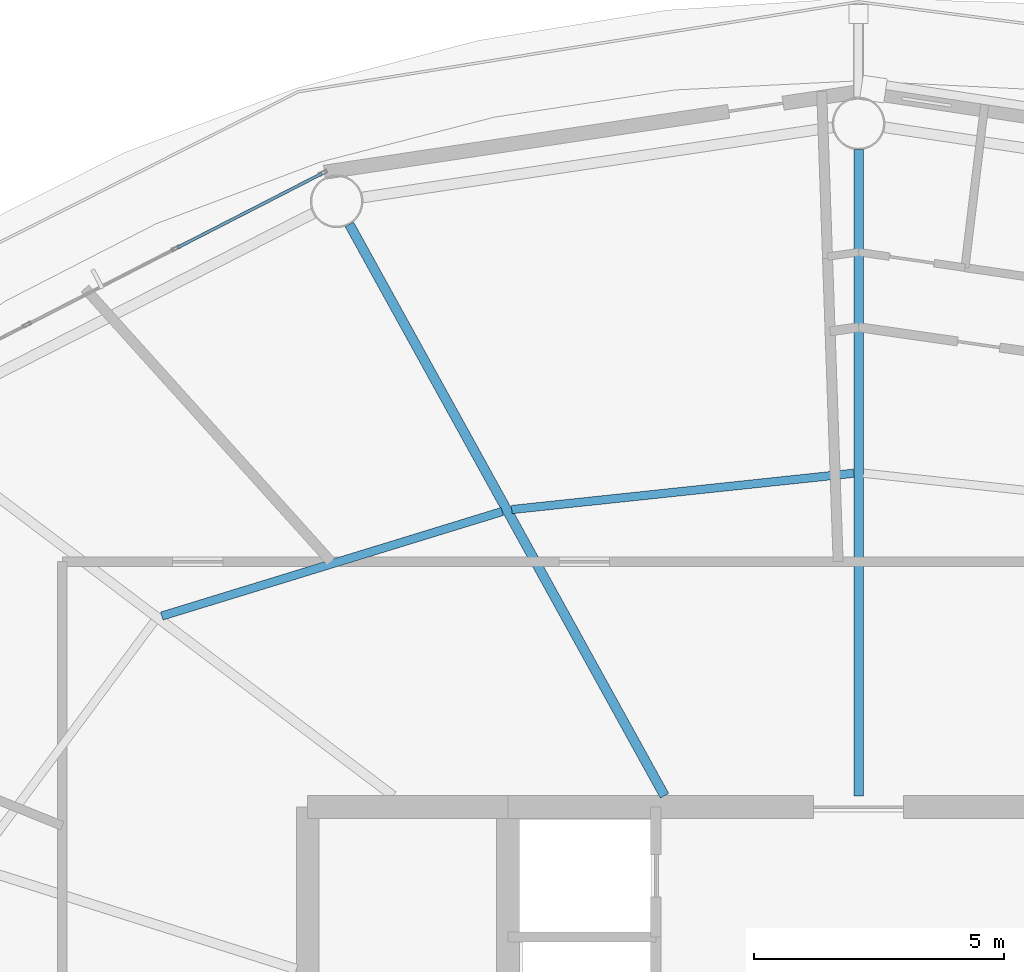
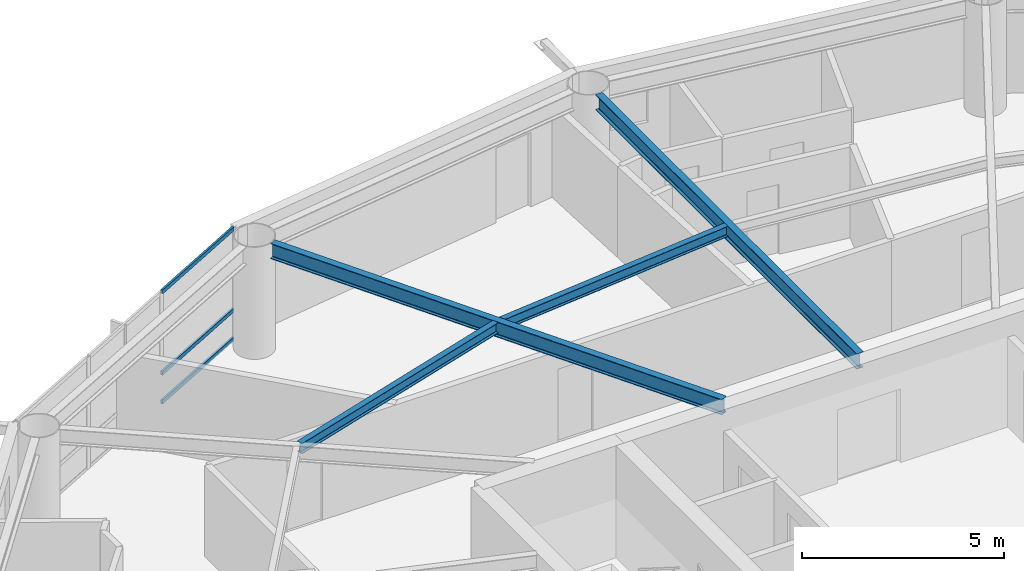
# One storey, part 12 of 29: 4 beams, 3 members, 1 element without a shape of its own.
"""IFC4 building model written with IfcOpenShell, lengths in metres."""

from ifc_helpers import new_model, si_unit, direction, frame, origin, origin_2d, place, context, subcontext, project, spatial, hollow_rectangle, i_section, extrude, material, layer, layer_set, material_profile, profile_set, type_object, element, aggregate, save


model = new_model("IFC4")

# Units and contexts
model_context = context("Model", 3, precision=1e-05, world=origin(), true_north=direction((0.0, 1.0)))
body_context = subcontext(model_context, "Body", "Model", "MODEL_VIEW")
ifc_project = project(units=[si_unit("LENGTHUNIT", "METRE"), si_unit("AREAUNIT", "SQUARE_METRE"), si_unit("VOLUMEUNIT", "CUBIC_METRE"), si_unit("PLANEANGLEUNIT", "RADIAN"), si_unit("MASSUNIT", "GRAM", prefix="KILO")], contexts=[model_context])

# Site, building, storey
site_placement = place(None, origin())
site = spatial("IfcSite", under=ifc_project, at=site_placement, CompositionType="ELEMENT")
building_placement = place(site_placement, origin())
building = spatial("IfcBuilding", under=site, at=building_placement, Name="Sarneth Arch Tower", CompositionType="ELEMENT")
storey_placement = place(building_placement, frame((0.0, 0.0, 165.0)))
storey = spatial("IfcBuildingStorey", under=building, at=storey_placement, Name="L41", CompositionType="ELEMENT", Elevation=165.0)

# Beams
ifc_material_1 = material(Name="Steel S355", Category="steel")
ifc_material_profile_1 = material_profile(ifc_material_1, i_section(OverallWidth=0.1669921875, OverallDepth=0.31689453125, WebThickness=0.007568359375, FlangeThickness=0.01318359375, FilletRadius=0.012939453125, at=origin_2d()), Name="W310x52")
ifc_profile_set_1 = profile_set([ifc_material_profile_1], Name="Steel S355")
beam_type_1 = type_object("IfcBeamType", Name="BM-JOIST-310B", PredefinedType="JOIST", material=ifc_profile_set_1)
beam_1_placement = place(storey_placement, frame((47.904052734375, 55.46484375, 3.221435546875), z_axis=(-0.994407831942, -0.105608066799, 0.0), x_axis=(0.105608066799, -0.994407831942, 0.0)))
element("IfcBeam", 1, at=beam_1_placement, inside=storey, type_object=beam_type_1, Name="L41 Secondary floor joist 05", PredefinedType="JOIST", context=body_context, shape_type="SweptSolid", body=[
    extrude(i_section(OverallWidth=0.1669921875, OverallDepth=0.31689453125, WebThickness=0.007568359375, FlangeThickness=0.01318359375, FilletRadius=0.012939453125, at=origin_2d()), origin(), (0.0, 0.0, 1.0), 6.8681640625),
])
beam_2_placement = place(storey_placement, frame((40.885986328125, 54.700927734375, 3.221435546875), z_axis=(-0.955929549608, -0.293596144707, 0.0), x_axis=(0.293596144707, -0.955929549608, 0.0)))
element("IfcBeam", 2, at=beam_2_placement, inside=storey, type_object=beam_type_1, Name="L41 Secondary floor joist 06", PredefinedType="JOIST", context=body_context, shape_type="SweptSolid", body=[
    extrude(i_section(OverallWidth=0.1669921875, OverallDepth=0.31689453125, WebThickness=0.007568359375, FlangeThickness=0.01318359375, FilletRadius=0.012939453125, at=origin_2d()), origin(), (0.0, 0.0, 1.0), 7.1123046875),
])
ifc_material_2 = material(Name="Steel S355", Category="steel")
ifc_material_profile_2 = material_profile(ifc_material_2, i_section(OverallWidth=0.193115234375, OverallDepth=0.466064453125, WebThickness=0.011474609375, FlangeThickness=0.01904296875, FilletRadius=0.01806640625, at=origin_2d()), Name="W460x97")
ifc_profile_set_2 = profile_set([ifc_material_profile_2], Name="Steel S355")
beam_type_2 = type_object("IfcBeamType", Name="BM-RAD-460C", PredefinedType="BEAM", material=ifc_profile_set_2)
beam_3_placement = place(storey_placement, frame((48.0, 49.02490234375, 3.14697265625), z_axis=(0.0, 1.0, 0.0), x_axis=(-1.0, 0.0, 0.0)))
element("IfcBeam", 3, at=beam_3_placement, inside=storey, type_object=beam_type_2, Name="L41 Radial floor girder 05", PredefinedType="BEAM", context=body_context, shape_type="SweptSolid", body=[
    extrude(i_section(OverallWidth=0.193115234375, OverallDepth=0.466064453125, WebThickness=0.011474609375, FlangeThickness=0.01904296875, FilletRadius=0.01806640625, at=origin_2d()), origin(), (0.0, 0.0, 1.0), 12.900146484375),
])
beam_4_placement = place(storey_placement, frame((44.125, 49.02490234375, 3.14697265625), z_axis=(-0.483004525121, 0.87561785541, 0.0), x_axis=(-0.87561785541, -0.483004525121, 0.0)))
element("IfcBeam", 4, at=beam_4_placement, inside=storey, type_object=beam_type_2, Name="L41 Radial floor girder 06", PredefinedType="BEAM", context=body_context, shape_type="SweptSolid", body=[
    extrude(i_section(OverallWidth=0.193115234375, OverallDepth=0.466064453125, WebThickness=0.011474609375, FlangeThickness=0.01904296875, FilletRadius=0.01806640625, at=origin_2d()), origin(), (0.0, 0.0, 1.0), 13.029296875),
])

# Curtain wall, members
ifc_material_3 = material(Name="Anodised aluminium Type AA25 and solar-control low-e laminated IGU", Category="aluminium")
ifc_layer = layer(ifc_material_3, 0.169921875)
ifc_layer_set = layer_set([ifc_layer], Name="Anodised aluminium Type AA25 and solar-control low-e laminated IGU")
curtain_wall_type = type_object("IfcCurtainWallType", Name="CW-RES-MID", PredefinedType="NOTDEFINED", material=ifc_layer_set)
curtain_wall_placement = place(storey_placement, origin())
curtain_wall = element("IfcCurtainWall", 5, at=curtain_wall_placement, inside=storey, type_object=curtain_wall_type, Name="L41 Unitised curtain wall facet 06", PredefinedType="NOTDEFINED")
ifc_material_4 = material(Name="Anodised Aluminium 6063-T6", Category="aluminium")
ifc_material_profile_3 = material_profile(ifc_material_4, hollow_rectangle(XDim=0.06005859375, YDim=0.1201171875, WallThickness=0.00390625, at=origin_2d()), Name="AL-TRAN-120x60x4")
ifc_profile_set_3 = profile_set([ifc_material_profile_3], Name="Anodised Aluminium 6063-T6")
member_type = type_object("IfcMemberType", Name="CW-TRANSOM", PredefinedType="USERDEFINED", material=ifc_profile_set_3)
member_1_placement = place(storey_placement, frame((37.28369140625, 61.447998046875, 0.030029296875), z_axis=(-0.889857362344, -0.456238835131, 0.0), x_axis=(0.456238835131, -0.889857362344, 0.0)))
member_1 = element("IfcMember", 6, at=member_1_placement, type_object=member_type, Name="CW-SYS-5 transom 1.1", ObjectType="TRANSOM", PredefinedType="USERDEFINED", context=body_context, shape_type="SweptSolid", body=[
    extrude(hollow_rectangle(XDim=0.06005859375, YDim=0.1201171875, WallThickness=0.00390625, at=origin_2d()), origin(), (0.0, 0.0, 1.0), 3.248779296875),
])
member_2_placement = place(storey_placement, frame((37.28369140625, 61.447998046875, 0.89990234375), z_axis=(-0.889857362344, -0.456238835131, 0.0), x_axis=(0.456238835131, -0.889857362344, 0.0)))
member_2 = element("IfcMember", 7, at=member_2_placement, type_object=member_type, Name="CW-SYS-5 transom 1.2", ObjectType="TRANSOM", PredefinedType="USERDEFINED", context=body_context, shape_type="SweptSolid", body=[
    extrude(hollow_rectangle(XDim=0.06005859375, YDim=0.1201171875, WallThickness=0.00390625, at=origin_2d()), origin(), (0.0, 0.0, 1.0), 3.248779296875),
])
member_3_placement = place(storey_placement, frame((37.28369140625, 61.447998046875, 3.35009765625), z_axis=(-0.889857362344, -0.456238835131, 0.0), x_axis=(0.456238835131, -0.889857362344, 0.0)))
member_3 = element("IfcMember", 8, at=member_3_placement, type_object=member_type, Name="CW-SYS-5 transom 1.3", ObjectType="TRANSOM", PredefinedType="USERDEFINED", context=body_context, shape_type="SweptSolid", body=[
    extrude(hollow_rectangle(XDim=0.06005859375, YDim=0.1201171875, WallThickness=0.00390625, at=origin_2d()), origin(), (0.0, 0.0, 1.0), 3.248779296875),
])
aggregate(curtain_wall, [member_1, member_2, member_3])

save(model, "model.ifc")
